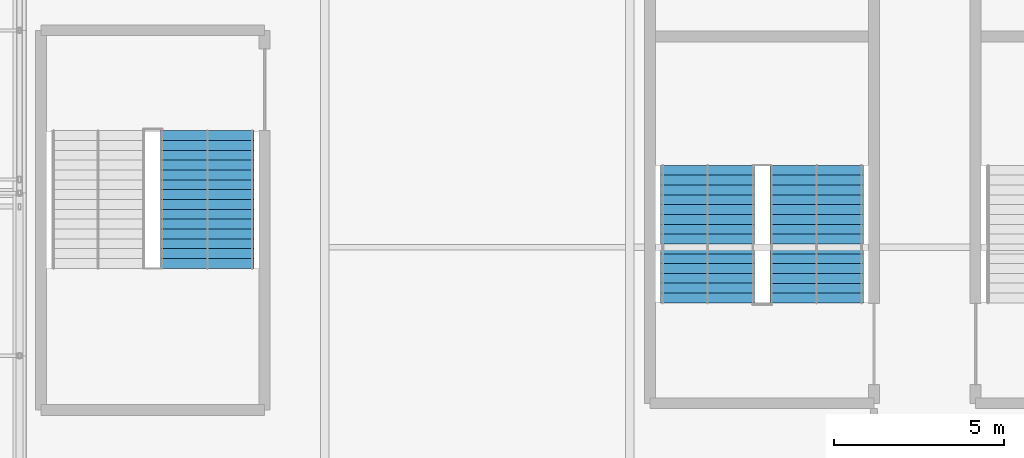
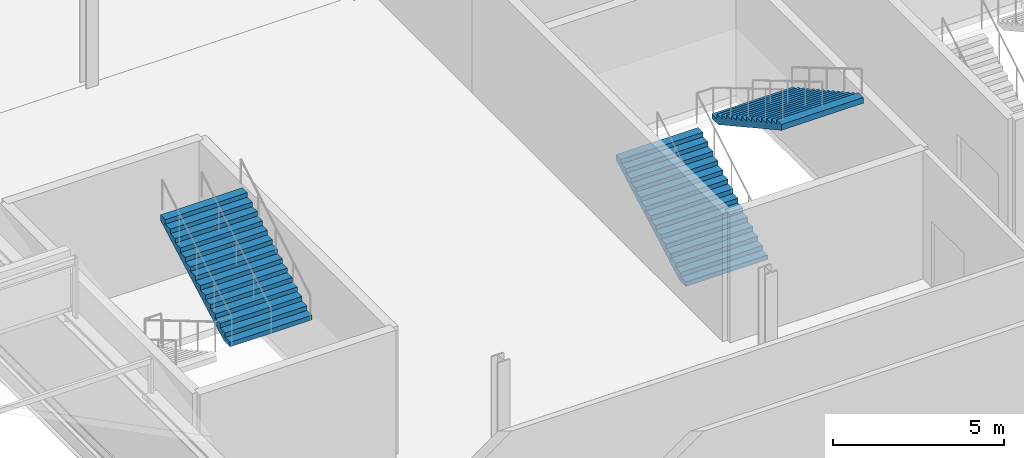
# One storey, part 121 of 136: 3 stair flights, 2 elements without a shape of their own.
"""IFC4 building model written with IfcOpenShell, lengths in metres."""

from ifc_helpers import new_model, si_unit, direction, frame, origin, place, context, subcontext, project, spatial, polygons, material, type_object, element, aggregate, save


model = new_model("IFC4")

# Units and contexts
model_context = context("Model", 3, precision=1e-05, world=origin(), true_north=direction((0.0, 1.0)))
body_context = subcontext(model_context, "Body", "Model", "MODEL_VIEW")
ifc_project = project(units=[si_unit("LENGTHUNIT", "METRE"), si_unit("AREAUNIT", "SQUARE_METRE"), si_unit("VOLUMEUNIT", "CUBIC_METRE"), si_unit("PLANEANGLEUNIT", "RADIAN"), si_unit("MASSUNIT", "GRAM", prefix="KILO")], contexts=[model_context])

# Site, building, storey
site_placement = place(None, origin())
site = spatial("IfcSite", under=ifc_project, at=site_placement, CompositionType="ELEMENT")
building_placement = place(site_placement, origin())
building = spatial("IfcBuilding", under=site, at=building_placement, Name="Kisiwana Market Hall", CompositionType="ELEMENT")
storey_placement = place(building_placement, frame((0.0, 0.0, 16.800048828125)))
storey = spatial("IfcBuildingStorey", under=building, at=storey_placement, Name="L03", CompositionType="ELEMENT", Elevation=16.800048828125)

# Stair, stair flights
ifc_material_1 = material(Name="Concrete C32/40", Category="concrete")
stair_type = type_object("IfcStairType", Name="ST-ESC-4800", PredefinedType="TWO_STRAIGHT_RUN_STAIR", material=ifc_material_1)
stair_1_placement = place(storey_placement, origin())
stair_1 = element("IfcStair", 1, at=stair_1_placement, inside=storey, type_object=stair_type, Name="Escape stair ST-E7-L03", PredefinedType="TWO_STRAIGHT_RUN_STAIR")
ifc_material_2 = material(Name="Concrete C32/40", Category="concrete")
stair_flight_type = type_object("IfcStairFlightType", Name="SF-ESC-4800", PredefinedType="STRAIGHT", material=ifc_material_2)
stair_flight_1_placement = place(storey_placement, frame((173.2900390625, 42.360107421875, 0.0), z_axis=(0.0, 0.0, 1.0), x_axis=(0.0, 1.0, 0.0)))
stair_flight_1 = element("IfcStairFlight", 2, at=stair_flight_1_placement, type_object=stair_flight_type, Name="ST-E7-L03 flight 1", NumberOfRisers=15, NumberOfTreads=14, PredefinedType="STRAIGHT", RiserHeight=0.16, TreadLength=0.29, context=body_context, shape_type="Tessellation", body=[
    polygons([(0.0, -1.380127, 0.0), (0.0, -0.690125, 0.0), (0.0, -0.000122, 0.0), (0.0, 0.68988, 0.0), (0.0, 1.379883, 0.0), (0.0, -1.380127, 0.159912), (0.0, -0.690125, 0.159912), (0.0, -0.000122, 0.159912), (0.0, 0.68988, 0.159912), (0.0, 1.379883, 0.159912), (0.290039, -1.380127, 0.159912), (0.290039, -0.690125, 0.159912), (0.290039, -0.000122, 0.159912), (0.290039, 0.68988, 0.159912), (0.290039, 1.379883, 0.159912), (0.290039, -1.380127, 0.320068), (0.290039, -0.690125, 0.320068), (0.290039, -0.000122, 0.320068), (0.290039, 0.68988, 0.320068), (0.290039, 1.379883, 0.320068), (0.580078, -1.380127, 0.320068), (0.580078, -0.690125, 0.320068), (0.580078, -0.000122, 0.320068), (0.580078, 0.68988, 0.320068), (0.580078, 1.379883, 0.320068), (0.580078, -1.380127, 0.47998), (0.580078, -0.690125, 0.47998), (0.580078, -0.000122, 0.47998), (0.580078, 0.68988, 0.47998), (0.580078, 1.379883, 0.47998), (0.870117, -1.380127, 0.47998), (0.870117, -0.690125, 0.47998), (0.870117, -0.000122, 0.47998), (0.870117, 0.68988, 0.47998), (0.870117, 1.379883, 0.47998), (0.870117, -1.380127, 0.639893), (0.870117, -0.690125, 0.639893), (0.870117, -0.000122, 0.639893), (0.870117, 0.68988, 0.639893), (0.870117, 1.379883, 0.639893), (1.159912, -1.380127, 0.639893), (1.159912, -0.690125, 0.639893), (1.159912, -0.000122, 0.639893), (1.159912, 0.68988, 0.639893), (1.159912, 1.379883, 0.639893), (1.159912, -1.380127, 0.800049), (1.159912, -0.690125, 0.800049), (1.159912, -0.000122, 0.800049), (1.159912, 0.68988, 0.800049), (1.159912, 1.379883, 0.800049), (1.449951, -1.380127, 0.800049), (1.449951, -0.690125, 0.800049), (1.449951, -0.000122, 0.800049), (1.449951, 0.68988, 0.800049), (1.449951, 1.379883, 0.800049), (1.449951, -1.380127, 0.959961), (1.449951, -0.690125, 0.959961), (1.449951, -0.000122, 0.959961), (1.449951, 0.68988, 0.959961), (1.449951, 1.379883, 0.959961), (1.73999, -1.380127, 0.959961), (1.73999, -0.690125, 0.959961), (1.73999, -0.000122, 0.959961), (1.73999, 0.68988, 0.959961), (1.73999, 1.379883, 0.959961), (1.73999, -1.380127, 1.120117), (1.73999, -0.690125, 1.120117), (1.73999, -0.000122, 1.120117), (1.73999, 0.68988, 1.120117), (1.73999, 1.379883, 1.120117), (2.030029, -1.380127, 1.120117), (2.030029, -0.690125, 1.120117), (2.030029, -0.000122, 1.120117), (2.030029, 0.68988, 1.120117), (2.030029, 1.379883, 1.120117), (2.030029, -1.380127, 1.280029), (2.030029, -0.690125, 1.280029), (2.030029, -0.000122, 1.280029), (2.030029, 0.68988, 1.280029), (2.030029, 1.379883, 1.280029), (2.320068, -1.380127, 1.280029), (2.320068, -0.690125, 1.280029), (2.320068, -0.000122, 1.280029), (2.320068, 0.68988, 1.280029), (2.320068, 1.379883, 1.280029), (2.320068, -1.380127, 1.439941), (2.320068, -0.690125, 1.439941), (2.320068, -0.000122, 1.439941), (2.320068, 0.68988, 1.439941), (2.320068, 1.379883, 1.439941), (2.610107, -1.380127, 1.439941), (2.610107, -0.690125, 1.439941), (2.610107, -0.000122, 1.439941), (2.610107, 0.68988, 1.439941), (2.610107, 1.379883, 1.439941), (2.610107, -1.380127, 1.600098), (2.610107, -0.690125, 1.600098), (2.610107, -0.000122, 1.600098), (2.610107, 0.68988, 1.600098), (2.610107, 1.379883, 1.600098), (2.899902, -1.380127, 1.600098), (2.899902, -0.690125, 1.600098), (2.899902, -0.000122, 1.600098), (2.899902, 0.68988, 1.600098), (2.899902, 1.379883, 1.600098), (2.899902, -1.380127, 1.76001), (2.899902, -0.690125, 1.76001), (2.899902, -0.000122, 1.76001), (2.899902, 0.68988, 1.76001), (2.899902, 1.379883, 1.76001), (3.189941, -1.380127, 1.76001), (3.189941, -0.690125, 1.76001), (3.189941, -0.000122, 1.76001), (3.189941, 0.68988, 1.76001), (3.189941, 1.379883, 1.76001), (3.189941, -1.380127, 1.919922), (3.189941, -0.690125, 1.919922), (3.189941, -0.000122, 1.919922), (3.189941, 0.68988, 1.919922), (3.189941, 1.379883, 1.919922), (3.47998, -1.380127, 1.919922), (3.47998, -0.690125, 1.919922), (3.47998, -0.000122, 1.919922), (3.47998, 0.68988, 1.919922), (3.47998, 1.379883, 1.919922), (3.47998, -1.380127, 2.080078), (3.47998, -0.690125, 2.080078), (3.47998, -0.000122, 2.080078), (3.47998, 0.68988, 2.080078), (3.47998, 1.379883, 2.080078), (3.77002, -1.380127, 2.080078), (3.77002, -0.690125, 2.080078), (3.77002, -0.000122, 2.080078), (3.77002, 0.68988, 2.080078), (3.77002, 1.379883, 2.080078), (3.77002, -1.380127, 2.23999), (3.77002, -0.690125, 2.23999), (3.77002, -0.000122, 2.23999), (3.77002, 0.68988, 2.23999), (3.77002, 1.379883, 2.23999), (4.060059, -1.380127, 2.23999), (4.060059, -0.690125, 2.23999), (4.060059, -0.000122, 2.23999), (4.060059, 0.68988, 2.23999), (4.060059, 1.379883, 2.23999), (4.060059, -1.380127, 2.034424), (4.060059, -0.690125, 2.034424), (4.060059, -0.000122, 2.034424), (4.060059, 0.68988, 2.034424), (4.060059, 1.379883, 2.034424), (0.372559, -1.380127, 0.0), (0.372559, -0.690125, 0.0), (0.372559, -0.000122, 0.0), (0.372559, 0.68988, 0.0), (0.372559, 1.379883, 0.0)], [[[1, 6, 7, 2]], [[2, 7, 8, 3]], [[3, 8, 9, 4]], [[4, 9, 10, 5]], [[6, 11, 12, 7]], [[7, 12, 13, 8]], [[8, 13, 14, 9]], [[9, 14, 15, 10]], [[11, 16, 17, 12]], [[12, 17, 18, 13]], [[13, 18, 19, 14]], [[14, 19, 20, 15]], [[16, 21, 22, 17]], [[17, 22, 23, 18]], [[18, 23, 24, 19]], [[19, 24, 25, 20]], [[21, 26, 27, 22]], [[22, 27, 28, 23]], [[23, 28, 29, 24]], [[24, 29, 30, 25]], [[26, 31, 32, 27]], [[27, 32, 33, 28]], [[28, 33, 34, 29]], [[29, 34, 35, 30]], [[31, 36, 37, 32]], [[32, 37, 38, 33]], [[33, 38, 39, 34]], [[34, 39, 40, 35]], [[36, 41, 42, 37]], [[37, 42, 43, 38]], [[38, 43, 44, 39]], [[39, 44, 45, 40]], [[41, 46, 47, 42]], [[42, 47, 48, 43]], [[43, 48, 49, 44]], [[44, 49, 50, 45]], [[46, 51, 52, 47]], [[47, 52, 53, 48]], [[48, 53, 54, 49]], [[49, 54, 55, 50]], [[51, 56, 57, 52]], [[52, 57, 58, 53]], [[53, 58, 59, 54]], [[54, 59, 60, 55]], [[56, 61, 62, 57]], [[57, 62, 63, 58]], [[58, 63, 64, 59]], [[59, 64, 65, 60]], [[61, 66, 67, 62]], [[62, 67, 68, 63]], [[63, 68, 69, 64]], [[64, 69, 70, 65]], [[66, 71, 72, 67]], [[67, 72, 73, 68]], [[68, 73, 74, 69]], [[69, 74, 75, 70]], [[71, 76, 77, 72]], [[72, 77, 78, 73]], [[73, 78, 79, 74]], [[74, 79, 80, 75]], [[76, 81, 82, 77]], [[77, 82, 83, 78]], [[78, 83, 84, 79]], [[79, 84, 85, 80]], [[81, 86, 87, 82]], [[82, 87, 88, 83]], [[83, 88, 89, 84]], [[84, 89, 90, 85]], [[86, 91, 92, 87]], [[87, 92, 93, 88]], [[88, 93, 94, 89]], [[89, 94, 95, 90]], [[91, 96, 97, 92]], [[92, 97, 98, 93]], [[93, 98, 99, 94]], [[94, 99, 100, 95]], [[96, 101, 102, 97]], [[97, 102, 103, 98]], [[98, 103, 104, 99]], [[99, 104, 105, 100]], [[101, 106, 107, 102]], [[102, 107, 108, 103]], [[103, 108, 109, 104]], [[104, 109, 110, 105]], [[106, 111, 112, 107]], [[107, 112, 113, 108]], [[108, 113, 114, 109]], [[109, 114, 115, 110]], [[111, 116, 117, 112]], [[112, 117, 118, 113]], [[113, 118, 119, 114]], [[114, 119, 120, 115]], [[116, 121, 122, 117]], [[117, 122, 123, 118]], [[118, 123, 124, 119]], [[119, 124, 125, 120]], [[121, 126, 127, 122]], [[122, 127, 128, 123]], [[123, 128, 129, 124]], [[124, 129, 130, 125]], [[126, 131, 132, 127]], [[127, 132, 133, 128]], [[128, 133, 134, 129]], [[129, 134, 135, 130]], [[131, 136, 137, 132]], [[132, 137, 138, 133]], [[133, 138, 139, 134]], [[134, 139, 140, 135]], [[136, 141, 142, 137]], [[137, 142, 143, 138]], [[138, 143, 144, 139]], [[139, 144, 145, 140]], [[141, 146, 147, 142]], [[142, 147, 148, 143]], [[143, 148, 149, 144]], [[144, 149, 150, 145]], [[146, 151, 152, 147]], [[147, 152, 153, 148]], [[148, 153, 154, 149]], [[149, 154, 155, 150]], [[151, 1, 2, 152]], [[152, 2, 3, 153]], [[153, 3, 4, 154]], [[154, 4, 5, 155]], [[151, 146, 141, 136, 131, 126, 121, 116, 111, 106, 101, 96, 91, 86, 81, 76, 71, 66, 61, 56, 51, 46, 41, 36, 31, 26, 21, 16, 11, 6, 1]], [[5, 10, 15, 20, 25, 30, 35, 40, 45, 50, 55, 60, 65, 70, 75, 80, 85, 90, 95, 100, 105, 110, 115, 120, 125, 130, 135, 140, 145, 150, 155]]], closed=True),
])
stair_flight_2_placement = place(storey_placement, frame((176.510009765625, 46.419921875, 2.39990234375), z_axis=(0.0, 0.0, 1.0), x_axis=(0.0, -1.0, 0.0)))
stair_flight_2 = element("IfcStairFlight", 3, at=stair_flight_2_placement, type_object=stair_flight_type, Name="ST-E7-L03 flight 2", NumberOfRisers=15, NumberOfTreads=14, PredefinedType="STRAIGHT", RiserHeight=0.16, TreadLength=0.29, context=body_context, shape_type="Tessellation", body=[
    polygons([(0.0, -1.380127, 0.0), (0.0, -0.690125, 0.0), (0.0, -0.000122, 0.0), (0.0, 0.68988, 0.0), (0.0, 1.379883, 0.0), (0.0, -1.380127, 0.159912), (0.0, -0.690125, 0.159912), (0.0, -0.000122, 0.159912), (0.0, 0.68988, 0.159912), (0.0, 1.379883, 0.159912), (0.290039, -1.380127, 0.159912), (0.290039, -0.690125, 0.159912), (0.290039, -0.000122, 0.159912), (0.290039, 0.68988, 0.159912), (0.290039, 1.379883, 0.159912), (0.290039, -1.380127, 0.320068), (0.290039, -0.690125, 0.320068), (0.290039, -0.000122, 0.320068), (0.290039, 0.68988, 0.320068), (0.290039, 1.379883, 0.320068), (0.580078, -1.380127, 0.320068), (0.580078, -0.690125, 0.320068), (0.580078, -0.000122, 0.320068), (0.580078, 0.68988, 0.320068), (0.580078, 1.379883, 0.320068), (0.580078, -1.380127, 0.47998), (0.580078, -0.690125, 0.47998), (0.580078, -0.000122, 0.47998), (0.580078, 0.68988, 0.47998), (0.580078, 1.379883, 0.47998), (0.870117, -1.380127, 0.47998), (0.870117, -0.690125, 0.47998), (0.870117, -0.000122, 0.47998), (0.870117, 0.68988, 0.47998), (0.870117, 1.379883, 0.47998), (0.870117, -1.380127, 0.639893), (0.870117, -0.690125, 0.639893), (0.870117, -0.000122, 0.639893), (0.870117, 0.68988, 0.639893), (0.870117, 1.379883, 0.639893), (1.159912, -1.380127, 0.639893), (1.159912, -0.690125, 0.639893), (1.159912, -0.000122, 0.639893), (1.159912, 0.68988, 0.639893), (1.159912, 1.379883, 0.639893), (1.159912, -1.380127, 0.800049), (1.159912, -0.690125, 0.800049), (1.159912, -0.000122, 0.800049), (1.159912, 0.68988, 0.800049), (1.159912, 1.379883, 0.800049), (1.449951, -1.380127, 0.800049), (1.449951, -0.690125, 0.800049), (1.449951, -0.000122, 0.800049), (1.449951, 0.68988, 0.800049), (1.449951, 1.379883, 0.800049), (1.449951, -1.380127, 0.959961), (1.449951, -0.690125, 0.959961), (1.449951, -0.000122, 0.959961), (1.449951, 0.68988, 0.959961), (1.449951, 1.379883, 0.959961), (1.73999, -1.380127, 0.959961), (1.73999, -0.690125, 0.959961), (1.73999, -0.000122, 0.959961), (1.73999, 0.68988, 0.959961), (1.73999, 1.379883, 0.959961), (1.73999, -1.380127, 1.120117), (1.73999, -0.690125, 1.120117), (1.73999, -0.000122, 1.120117), (1.73999, 0.68988, 1.120117), (1.73999, 1.379883, 1.120117), (2.030029, -1.380127, 1.120117), (2.030029, -0.690125, 1.120117), (2.030029, -0.000122, 1.120117), (2.030029, 0.68988, 1.120117), (2.030029, 1.379883, 1.120117), (2.030029, -1.380127, 1.280029), (2.030029, -0.690125, 1.280029), (2.030029, -0.000122, 1.280029), (2.030029, 0.68988, 1.280029), (2.030029, 1.379883, 1.280029), (2.320068, -1.380127, 1.280029), (2.320068, -0.690125, 1.280029), (2.320068, -0.000122, 1.280029), (2.320068, 0.68988, 1.280029), (2.320068, 1.379883, 1.280029), (2.320068, -1.380127, 1.439941), (2.320068, -0.690125, 1.439941), (2.320068, -0.000122, 1.439941), (2.320068, 0.68988, 1.439941), (2.320068, 1.379883, 1.439941), (2.610107, -1.380127, 1.439941), (2.610107, -0.690125, 1.439941), (2.610107, -0.000122, 1.439941), (2.610107, 0.68988, 1.439941), (2.610107, 1.379883, 1.439941), (2.610107, -1.380127, 1.600098), (2.610107, -0.690125, 1.600098), (2.610107, -0.000122, 1.600098), (2.610107, 0.68988, 1.600098), (2.610107, 1.379883, 1.600098), (2.899902, -1.380127, 1.600098), (2.899902, -0.690125, 1.600098), (2.899902, -0.000122, 1.600098), (2.899902, 0.68988, 1.600098), (2.899902, 1.379883, 1.600098), (2.899902, -1.380127, 1.76001), (2.899902, -0.690125, 1.76001), (2.899902, -0.000122, 1.76001), (2.899902, 0.68988, 1.76001), (2.899902, 1.379883, 1.76001), (3.189941, -1.380127, 1.76001), (3.189941, -0.690125, 1.76001), (3.189941, -0.000122, 1.76001), (3.189941, 0.68988, 1.76001), (3.189941, 1.379883, 1.76001), (3.189941, -1.380127, 1.919922), (3.189941, -0.690125, 1.919922), (3.189941, -0.000122, 1.919922), (3.189941, 0.68988, 1.919922), (3.189941, 1.379883, 1.919922), (3.47998, -1.380127, 1.919922), (3.47998, -0.690125, 1.919922), (3.47998, -0.000122, 1.919922), (3.47998, 0.68988, 1.919922), (3.47998, 1.379883, 1.919922), (3.47998, -1.380127, 2.080078), (3.47998, -0.690125, 2.080078), (3.47998, -0.000122, 2.080078), (3.47998, 0.68988, 2.080078), (3.47998, 1.379883, 2.080078), (3.77002, -1.380127, 2.080078), (3.77002, -0.690125, 2.080078), (3.77002, -0.000122, 2.080078), (3.77002, 0.68988, 2.080078), (3.77002, 1.379883, 2.080078), (3.77002, -1.380127, 2.23999), (3.77002, -0.690125, 2.23999), (3.77002, -0.000122, 2.23999), (3.77002, 0.68988, 2.23999), (3.77002, 1.379883, 2.23999), (4.060059, -1.380127, 2.23999), (4.060059, -0.690125, 2.23999), (4.060059, -0.000122, 2.23999), (4.060059, 0.68988, 2.23999), (4.060059, 1.379883, 2.23999), (4.060059, -1.380127, 2.034424), (4.060059, -0.690125, 2.034424), (4.060059, -0.000122, 2.034424), (4.060059, 0.68988, 2.034424), (4.060059, 1.379883, 2.034424), (0.372559, -1.380127, 0.0), (0.372559, -0.690125, 0.0), (0.372559, -0.000122, 0.0), (0.372559, 0.68988, 0.0), (0.372559, 1.379883, 0.0)], [[[1, 6, 7, 2]], [[2, 7, 8, 3]], [[3, 8, 9, 4]], [[4, 9, 10, 5]], [[6, 11, 12, 7]], [[7, 12, 13, 8]], [[8, 13, 14, 9]], [[9, 14, 15, 10]], [[11, 16, 17, 12]], [[12, 17, 18, 13]], [[13, 18, 19, 14]], [[14, 19, 20, 15]], [[16, 21, 22, 17]], [[17, 22, 23, 18]], [[18, 23, 24, 19]], [[19, 24, 25, 20]], [[21, 26, 27, 22]], [[22, 27, 28, 23]], [[23, 28, 29, 24]], [[24, 29, 30, 25]], [[26, 31, 32, 27]], [[27, 32, 33, 28]], [[28, 33, 34, 29]], [[29, 34, 35, 30]], [[31, 36, 37, 32]], [[32, 37, 38, 33]], [[33, 38, 39, 34]], [[34, 39, 40, 35]], [[36, 41, 42, 37]], [[37, 42, 43, 38]], [[38, 43, 44, 39]], [[39, 44, 45, 40]], [[41, 46, 47, 42]], [[42, 47, 48, 43]], [[43, 48, 49, 44]], [[44, 49, 50, 45]], [[46, 51, 52, 47]], [[47, 52, 53, 48]], [[48, 53, 54, 49]], [[49, 54, 55, 50]], [[51, 56, 57, 52]], [[52, 57, 58, 53]], [[53, 58, 59, 54]], [[54, 59, 60, 55]], [[56, 61, 62, 57]], [[57, 62, 63, 58]], [[58, 63, 64, 59]], [[59, 64, 65, 60]], [[61, 66, 67, 62]], [[62, 67, 68, 63]], [[63, 68, 69, 64]], [[64, 69, 70, 65]], [[66, 71, 72, 67]], [[67, 72, 73, 68]], [[68, 73, 74, 69]], [[69, 74, 75, 70]], [[71, 76, 77, 72]], [[72, 77, 78, 73]], [[73, 78, 79, 74]], [[74, 79, 80, 75]], [[76, 81, 82, 77]], [[77, 82, 83, 78]], [[78, 83, 84, 79]], [[79, 84, 85, 80]], [[81, 86, 87, 82]], [[82, 87, 88, 83]], [[83, 88, 89, 84]], [[84, 89, 90, 85]], [[86, 91, 92, 87]], [[87, 92, 93, 88]], [[88, 93, 94, 89]], [[89, 94, 95, 90]], [[91, 96, 97, 92]], [[92, 97, 98, 93]], [[93, 98, 99, 94]], [[94, 99, 100, 95]], [[96, 101, 102, 97]], [[97, 102, 103, 98]], [[98, 103, 104, 99]], [[99, 104, 105, 100]], [[101, 106, 107, 102]], [[102, 107, 108, 103]], [[103, 108, 109, 104]], [[104, 109, 110, 105]], [[106, 111, 112, 107]], [[107, 112, 113, 108]], [[108, 113, 114, 109]], [[109, 114, 115, 110]], [[111, 116, 117, 112]], [[112, 117, 118, 113]], [[113, 118, 119, 114]], [[114, 119, 120, 115]], [[116, 121, 122, 117]], [[117, 122, 123, 118]], [[118, 123, 124, 119]], [[119, 124, 125, 120]], [[121, 126, 127, 122]], [[122, 127, 128, 123]], [[123, 128, 129, 124]], [[124, 129, 130, 125]], [[126, 131, 132, 127]], [[127, 132, 133, 128]], [[128, 133, 134, 129]], [[129, 134, 135, 130]], [[131, 136, 137, 132]], [[132, 137, 138, 133]], [[133, 138, 139, 134]], [[134, 139, 140, 135]], [[136, 141, 142, 137]], [[137, 142, 143, 138]], [[138, 143, 144, 139]], [[139, 144, 145, 140]], [[141, 146, 147, 142]], [[142, 147, 148, 143]], [[143, 148, 149, 144]], [[144, 149, 150, 145]], [[146, 151, 152, 147]], [[147, 152, 153, 148]], [[148, 153, 154, 149]], [[149, 154, 155, 150]], [[151, 1, 2, 152]], [[152, 2, 3, 153]], [[153, 3, 4, 154]], [[154, 4, 5, 155]], [[151, 146, 141, 136, 131, 126, 121, 116, 111, 106, 101, 96, 91, 86, 81, 76, 71, 66, 61, 56, 51, 46, 41, 36, 31, 26, 21, 16, 11, 6, 1]], [[5, 10, 15, 20, 25, 30, 35, 40, 45, 50, 55, 60, 65, 70, 75, 80, 85, 90, 95, 100, 105, 110, 115, 120, 125, 130, 135, 140, 145, 150, 155]]], closed=True),
])
aggregate(stair_1, [stair_flight_1, stair_flight_2])

# Stair, stair flight
stair_2_placement = place(storey_placement, origin())
stair_2 = element("IfcStair", 4, at=stair_2_placement, inside=storey, type_object=stair_type, Name="Escape stair ST-E9-L03", PredefinedType="TWO_STRAIGHT_RUN_STAIR")
stair_flight_3_placement = place(storey_placement, frame((158.5400390625, 43.3798828125, 2.39990234375), z_axis=(0.0, 0.0, 1.0), x_axis=(0.0, 1.0, 0.0)))
stair_flight_3 = element("IfcStairFlight", 5, at=stair_flight_3_placement, type_object=stair_flight_type, Name="ST-E9-L03 flight 2", NumberOfRisers=15, NumberOfTreads=14, PredefinedType="STRAIGHT", RiserHeight=0.16, TreadLength=0.29, context=body_context, shape_type="Tessellation", body=[
    polygons([(0.0, -1.380127, 0.0), (0.0, -0.690125, 0.0), (0.0, -0.000122, 0.0), (0.0, 0.68988, 0.0), (0.0, 1.379883, 0.0), (0.0, -1.380127, 0.159912), (0.0, -0.690125, 0.159912), (0.0, -0.000122, 0.159912), (0.0, 0.68988, 0.159912), (0.0, 1.379883, 0.159912), (0.290039, -1.380127, 0.159912), (0.290039, -0.690125, 0.159912), (0.290039, -0.000122, 0.159912), (0.290039, 0.68988, 0.159912), (0.290039, 1.379883, 0.159912), (0.290039, -1.380127, 0.320068), (0.290039, -0.690125, 0.320068), (0.290039, -0.000122, 0.320068), (0.290039, 0.68988, 0.320068), (0.290039, 1.379883, 0.320068), (0.580078, -1.380127, 0.320068), (0.580078, -0.690125, 0.320068), (0.580078, -0.000122, 0.320068), (0.580078, 0.68988, 0.320068), (0.580078, 1.379883, 0.320068), (0.580078, -1.380127, 0.47998), (0.580078, -0.690125, 0.47998), (0.580078, -0.000122, 0.47998), (0.580078, 0.68988, 0.47998), (0.580078, 1.379883, 0.47998), (0.870117, -1.380127, 0.47998), (0.870117, -0.690125, 0.47998), (0.870117, -0.000122, 0.47998), (0.870117, 0.68988, 0.47998), (0.870117, 1.379883, 0.47998), (0.870117, -1.380127, 0.639893), (0.870117, -0.690125, 0.639893), (0.870117, -0.000122, 0.639893), (0.870117, 0.68988, 0.639893), (0.870117, 1.379883, 0.639893), (1.159912, -1.380127, 0.639893), (1.159912, -0.690125, 0.639893), (1.159912, -0.000122, 0.639893), (1.159912, 0.68988, 0.639893), (1.159912, 1.379883, 0.639893), (1.159912, -1.380127, 0.800049), (1.159912, -0.690125, 0.800049), (1.159912, -0.000122, 0.800049), (1.159912, 0.68988, 0.800049), (1.159912, 1.379883, 0.800049), (1.449951, -1.380127, 0.800049), (1.449951, -0.690125, 0.800049), (1.449951, -0.000122, 0.800049), (1.449951, 0.68988, 0.800049), (1.449951, 1.379883, 0.800049), (1.449951, -1.380127, 0.959961), (1.449951, -0.690125, 0.959961), (1.449951, -0.000122, 0.959961), (1.449951, 0.68988, 0.959961), (1.449951, 1.379883, 0.959961), (1.73999, -1.380127, 0.959961), (1.73999, -0.690125, 0.959961), (1.73999, -0.000122, 0.959961), (1.73999, 0.68988, 0.959961), (1.73999, 1.379883, 0.959961), (1.73999, -1.380127, 1.120117), (1.73999, -0.690125, 1.120117), (1.73999, -0.000122, 1.120117), (1.73999, 0.68988, 1.120117), (1.73999, 1.379883, 1.120117), (2.030029, -1.380127, 1.120117), (2.030029, -0.690125, 1.120117), (2.030029, -0.000122, 1.120117), (2.030029, 0.68988, 1.120117), (2.030029, 1.379883, 1.120117), (2.030029, -1.380127, 1.280029), (2.030029, -0.690125, 1.280029), (2.030029, -0.000122, 1.280029), (2.030029, 0.68988, 1.280029), (2.030029, 1.379883, 1.280029), (2.320068, -1.380127, 1.280029), (2.320068, -0.690125, 1.280029), (2.320068, -0.000122, 1.280029), (2.320068, 0.68988, 1.280029), (2.320068, 1.379883, 1.280029), (2.320068, -1.380127, 1.439941), (2.320068, -0.690125, 1.439941), (2.320068, -0.000122, 1.439941), (2.320068, 0.68988, 1.439941), (2.320068, 1.379883, 1.439941), (2.610107, -1.380127, 1.439941), (2.610107, -0.690125, 1.439941), (2.610107, -0.000122, 1.439941), (2.610107, 0.68988, 1.439941), (2.610107, 1.379883, 1.439941), (2.610107, -1.380127, 1.600098), (2.610107, -0.690125, 1.600098), (2.610107, -0.000122, 1.600098), (2.610107, 0.68988, 1.600098), (2.610107, 1.379883, 1.600098), (2.899902, -1.380127, 1.600098), (2.899902, -0.690125, 1.600098), (2.899902, -0.000122, 1.600098), (2.899902, 0.68988, 1.600098), (2.899902, 1.379883, 1.600098), (2.899902, -1.380127, 1.76001), (2.899902, -0.690125, 1.76001), (2.899902, -0.000122, 1.76001), (2.899902, 0.68988, 1.76001), (2.899902, 1.379883, 1.76001), (3.189941, -1.380127, 1.76001), (3.189941, -0.690125, 1.76001), (3.189941, -0.000122, 1.76001), (3.189941, 0.68988, 1.76001), (3.189941, 1.379883, 1.76001), (3.189941, -1.380127, 1.919922), (3.189941, -0.690125, 1.919922), (3.189941, -0.000122, 1.919922), (3.189941, 0.68988, 1.919922), (3.189941, 1.379883, 1.919922), (3.47998, -1.380127, 1.919922), (3.47998, -0.690125, 1.919922), (3.47998, -0.000122, 1.919922), (3.47998, 0.68988, 1.919922), (3.47998, 1.379883, 1.919922), (3.47998, -1.380127, 2.080078), (3.47998, -0.690125, 2.080078), (3.47998, -0.000122, 2.080078), (3.47998, 0.68988, 2.080078), (3.47998, 1.379883, 2.080078), (3.77002, -1.380127, 2.080078), (3.77002, -0.690125, 2.080078), (3.77002, -0.000122, 2.080078), (3.77002, 0.68988, 2.080078), (3.77002, 1.379883, 2.080078), (3.77002, -1.380127, 2.23999), (3.77002, -0.690125, 2.23999), (3.77002, -0.000122, 2.23999), (3.77002, 0.68988, 2.23999), (3.77002, 1.379883, 2.23999), (4.060059, -1.380127, 2.23999), (4.060059, -0.690125, 2.23999), (4.060059, -0.000122, 2.23999), (4.060059, 0.68988, 2.23999), (4.060059, 1.379883, 2.23999), (4.060059, -1.380127, 2.034424), (4.060059, -0.690125, 2.034424), (4.060059, -0.000122, 2.034424), (4.060059, 0.68988, 2.034424), (4.060059, 1.379883, 2.034424), (0.372559, -1.380127, 0.0), (0.372559, -0.690125, 0.0), (0.372559, -0.000122, 0.0), (0.372559, 0.68988, 0.0), (0.372559, 1.379883, 0.0)], [[[1, 6, 7, 2]], [[2, 7, 8, 3]], [[3, 8, 9, 4]], [[4, 9, 10, 5]], [[6, 11, 12, 7]], [[7, 12, 13, 8]], [[8, 13, 14, 9]], [[9, 14, 15, 10]], [[11, 16, 17, 12]], [[12, 17, 18, 13]], [[13, 18, 19, 14]], [[14, 19, 20, 15]], [[16, 21, 22, 17]], [[17, 22, 23, 18]], [[18, 23, 24, 19]], [[19, 24, 25, 20]], [[21, 26, 27, 22]], [[22, 27, 28, 23]], [[23, 28, 29, 24]], [[24, 29, 30, 25]], [[26, 31, 32, 27]], [[27, 32, 33, 28]], [[28, 33, 34, 29]], [[29, 34, 35, 30]], [[31, 36, 37, 32]], [[32, 37, 38, 33]], [[33, 38, 39, 34]], [[34, 39, 40, 35]], [[36, 41, 42, 37]], [[37, 42, 43, 38]], [[38, 43, 44, 39]], [[39, 44, 45, 40]], [[41, 46, 47, 42]], [[42, 47, 48, 43]], [[43, 48, 49, 44]], [[44, 49, 50, 45]], [[46, 51, 52, 47]], [[47, 52, 53, 48]], [[48, 53, 54, 49]], [[49, 54, 55, 50]], [[51, 56, 57, 52]], [[52, 57, 58, 53]], [[53, 58, 59, 54]], [[54, 59, 60, 55]], [[56, 61, 62, 57]], [[57, 62, 63, 58]], [[58, 63, 64, 59]], [[59, 64, 65, 60]], [[61, 66, 67, 62]], [[62, 67, 68, 63]], [[63, 68, 69, 64]], [[64, 69, 70, 65]], [[66, 71, 72, 67]], [[67, 72, 73, 68]], [[68, 73, 74, 69]], [[69, 74, 75, 70]], [[71, 76, 77, 72]], [[72, 77, 78, 73]], [[73, 78, 79, 74]], [[74, 79, 80, 75]], [[76, 81, 82, 77]], [[77, 82, 83, 78]], [[78, 83, 84, 79]], [[79, 84, 85, 80]], [[81, 86, 87, 82]], [[82, 87, 88, 83]], [[83, 88, 89, 84]], [[84, 89, 90, 85]], [[86, 91, 92, 87]], [[87, 92, 93, 88]], [[88, 93, 94, 89]], [[89, 94, 95, 90]], [[91, 96, 97, 92]], [[92, 97, 98, 93]], [[93, 98, 99, 94]], [[94, 99, 100, 95]], [[96, 101, 102, 97]], [[97, 102, 103, 98]], [[98, 103, 104, 99]], [[99, 104, 105, 100]], [[101, 106, 107, 102]], [[102, 107, 108, 103]], [[103, 108, 109, 104]], [[104, 109, 110, 105]], [[106, 111, 112, 107]], [[107, 112, 113, 108]], [[108, 113, 114, 109]], [[109, 114, 115, 110]], [[111, 116, 117, 112]], [[112, 117, 118, 113]], [[113, 118, 119, 114]], [[114, 119, 120, 115]], [[116, 121, 122, 117]], [[117, 122, 123, 118]], [[118, 123, 124, 119]], [[119, 124, 125, 120]], [[121, 126, 127, 122]], [[122, 127, 128, 123]], [[123, 128, 129, 124]], [[124, 129, 130, 125]], [[126, 131, 132, 127]], [[127, 132, 133, 128]], [[128, 133, 134, 129]], [[129, 134, 135, 130]], [[131, 136, 137, 132]], [[132, 137, 138, 133]], [[133, 138, 139, 134]], [[134, 139, 140, 135]], [[136, 141, 142, 137]], [[137, 142, 143, 138]], [[138, 143, 144, 139]], [[139, 144, 145, 140]], [[141, 146, 147, 142]], [[142, 147, 148, 143]], [[143, 148, 149, 144]], [[144, 149, 150, 145]], [[146, 151, 152, 147]], [[147, 152, 153, 148]], [[148, 153, 154, 149]], [[149, 154, 155, 150]], [[151, 1, 2, 152]], [[152, 2, 3, 153]], [[153, 3, 4, 154]], [[154, 4, 5, 155]], [[151, 146, 141, 136, 131, 126, 121, 116, 111, 106, 101, 96, 91, 86, 81, 76, 71, 66, 61, 56, 51, 46, 41, 36, 31, 26, 21, 16, 11, 6, 1]], [[5, 10, 15, 20, 25, 30, 35, 40, 45, 50, 55, 60, 65, 70, 75, 80, 85, 90, 95, 100, 105, 110, 115, 120, 125, 130, 135, 140, 145, 150, 155]]], closed=True),
])
aggregate(stair_2, [stair_flight_3])

save(model, "model.ifc")
